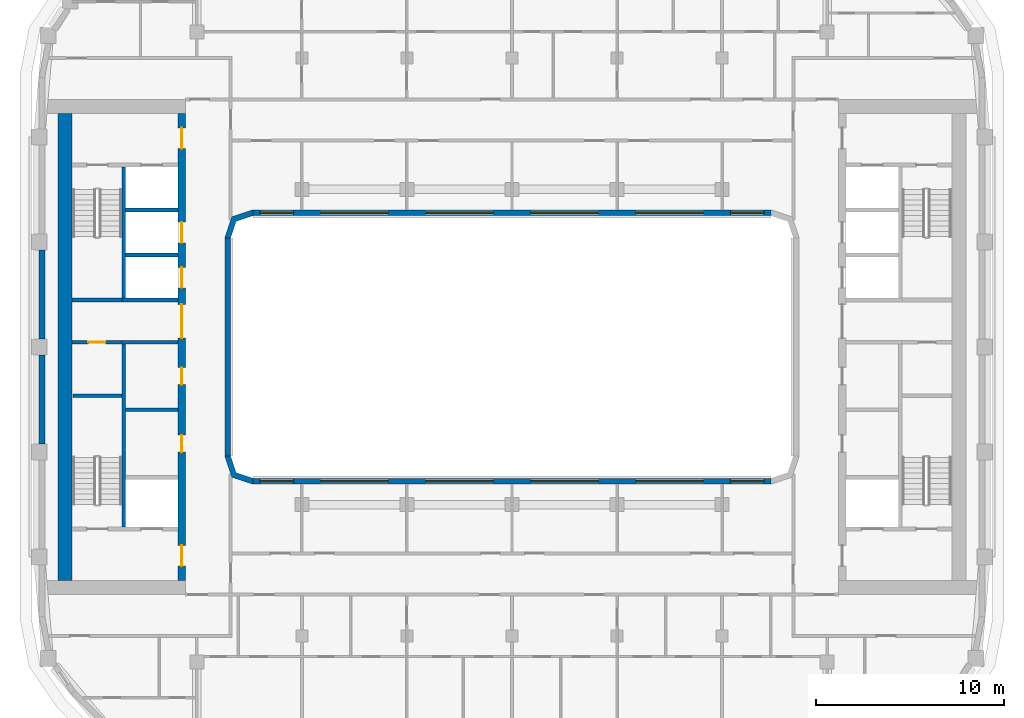
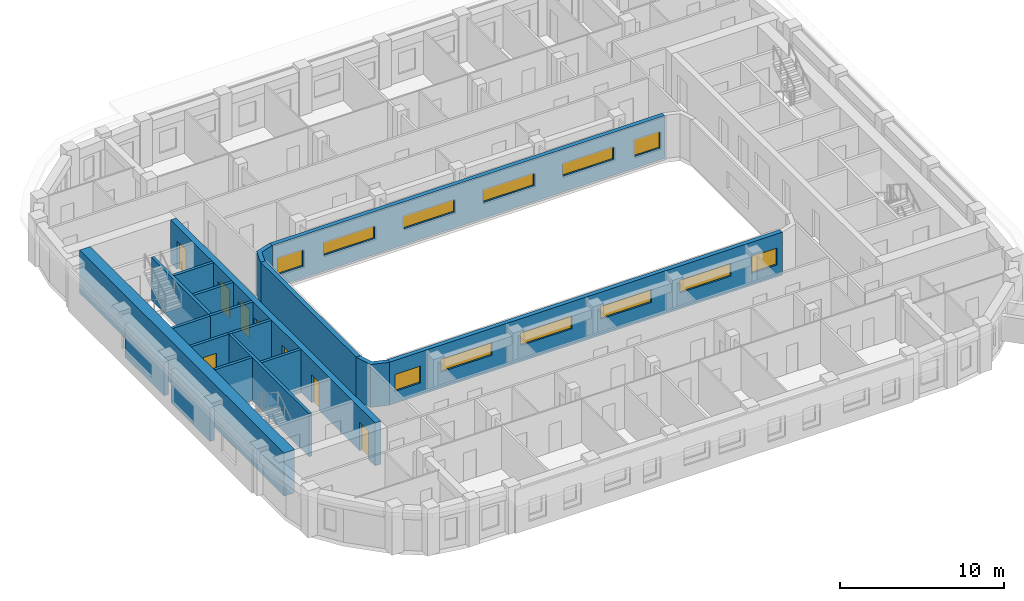
# One storey, part 4 of 21: 19 walls, 12 windows, 8 doors, 20 openings.
"""IFC4 building model written with IfcOpenShell, lengths in metres."""

from ifc_helpers import new_model, si_unit, direction, frame, frame_2d, origin, place, context, subcontext, project, spatial, polyline, rectangle, outline, extrude, material, layer, layer_set, type_object, element, fill, save


model = new_model("IFC4")

# Units and contexts
model_context = context("Model", 3, precision=1e-05, world=origin(), true_north=direction((0.0, 1.0)))
body_context = subcontext(model_context, "Body", "Model", "MODEL_VIEW")
ifc_project = project(units=[si_unit("LENGTHUNIT", "METRE"), si_unit("AREAUNIT", "SQUARE_METRE"), si_unit("VOLUMEUNIT", "CUBIC_METRE"), si_unit("PLANEANGLEUNIT", "RADIAN"), si_unit("MASSUNIT", "GRAM", prefix="KILO")], contexts=[model_context])

# Site, building, storey
site_placement = place(None, origin())
site = spatial("IfcSite", under=ifc_project, at=site_placement, CompositionType="ELEMENT")
building_placement = place(site_placement, origin())
building = spatial("IfcBuilding", under=site, at=building_placement, Name="Kiln Ring Residences", CompositionType="ELEMENT")
storey_placement = place(building_placement, frame((0.0, 0.0, 220.39990234375)))
storey = spatial("IfcBuildingStorey", under=building, at=storey_placement, Name="L57", CompositionType="ELEMENT", Elevation=220.39990234375)

# Wall, opening, door
ifc_material_1 = material(Name="Gypsum board on steel studs", Category="steel")
ifc_layer_1 = layer(ifc_material_1, 0.199951171875)
ifc_layer_set_1 = layer_set([ifc_layer_1], Name="CORE-PARTITION-200")
wall_type_1 = type_object("IfcWallType", Name="CORE-PARTITION-200", PredefinedType="PARTITIONING", material=ifc_layer_set_1)
wall_1_placement = place(storey_placement, frame((-20.800048828125, 0.25, 0.0), z_axis=(0.0, 0.0, 1.0), x_axis=(-1.0, 0.0, 0.0)))
wall_1 = element("IfcWall", 1, at=wall_1_placement, inside=storey, type_object=wall_type_1, Name="Core partition west L57 1", PredefinedType="PARTITIONING", context=body_context, shape_type="SweptSolid", body=[
    extrude(rectangle(XDim=2.64990234375, YDim=0.199951171875, at=frame_2d((1.324951171875, 0.0))), origin(), (0.0, 0.0, 1.0), 3.2001953125),
])
opening_1_placement = place(wall_1_placement, frame((0.875, 0.0, 0.0)))
opening_1 = element("IfcOpeningElement", 2, at=opening_1_placement, cuts=wall_1, Name="Opening L57-CW12", PredefinedType="OPENING", context=body_context, shape_type="SweptSolid", body=[
    extrude(rectangle(XDim=0.89990234375, YDim=2.10009765625, at=frame_2d((0.449951171875, 1.050048828125))), frame((0.0, 0.10986328125, 0.0), z_axis=(0.0, -1.0, 0.0), x_axis=(1.0, 0.0, 0.0)), (0.0, 0.0, 1.0), 0.219970703125),
])
ifc_material_2 = material(Name="Steel door leaf", Category="steel")
door_type_1 = type_object("IfcDoorType", Name="CORE-DOOR-ROOM", OperationType="SINGLE_SWING_LEFT", PredefinedType="DOOR", material=ifc_material_2)
door_1_placement = place(opening_1_placement, origin())
door_1 = element("IfcDoor", 3, at=door_1_placement, inside=storey, type_object=door_type_1, Name="Cleaner's store L57-CW12", OperationType="SINGLE_SWING_RIGHT", OverallHeight=2.10009765625, OverallWidth=0.89990234375, PredefinedType="DOOR", context=body_context, shape_type="SweptSolid", body=[
    extrude(rectangle(XDim=0.89990234375, YDim=2.10009765625, at=frame_2d((0.449951171875, 1.050048828125))), frame((0.0, 0.02490234375, 0.0), z_axis=(0.0, -1.0, 0.0), x_axis=(1.0, 0.0, 0.0)), (0.0, 0.0, 1.0), 0.050048828125),
])
fill(opening_1, door_1)

# Walls
wall_2_placement = place(storey_placement, frame((-17.800048828125, -3.35009765625, 0.0), z_axis=(0.0, 0.0, 1.0), x_axis=(-1.0, 0.0, 0.0)))
element("IfcWall", 4, at=wall_2_placement, inside=storey, type_object=wall_type_1, Name="Core partition west L57 2", PredefinedType="PARTITIONING", context=body_context, shape_type="SweptSolid", body=[
    extrude(rectangle(XDim=2.800048828125, YDim=0.199951171875, at=frame_2d((1.39990234375, 0.0))), origin(), (0.0, 0.0, 1.0), 3.2001953125),
])
ifc_material_3 = material(Name="Gypsum shaft wall system")
ifc_layer_2 = layer(ifc_material_3, 0.199951171875)
ifc_layer_set_2 = layer_set([ifc_layer_2], Name="CORE-SHAFT-WALL-200")
wall_type_2 = type_object("IfcWallType", Name="CORE-SHAFT-WALL-200", PredefinedType="PARTITIONING", material=ifc_layer_set_2)
for number, where, z_axis, x_axis, name in (
    (5, (-17.800048828125, 0.25, 0.0), (0.0, 0.0, 1.0), (-1.0, 0.0, 0.0), "Core partition west L57 4"),
    (6, (-17.800048828125, 2.5, 0.0), (0.0, 0.0, 1.0), (-1.0, 0.0, 0.0), "Core partition west L57 5"),
):
    element("IfcWall", number, at=place(storey_placement, frame(where, z_axis=z_axis, x_axis=x_axis)), inside=storey, type_object=wall_type_2, Name=name, PredefinedType="PARTITIONING", context=body_context, shape_type="SweptSolid", body=[
        extrude(rectangle(XDim=3.0, YDim=0.199951171875, at=frame_2d((1.5, 0.0))), origin(), (0.0, 0.0, 1.0), 3.2001953125),
    ])
for number, where, z_axis, x_axis, name in (
    (7, (-17.800048828125, 4.89990234375, 0.0), (0.0, 0.0, 1.0), (-1.0, 0.0, 0.0), "Core partition west L57 6"),
    (8, (-17.800048828125, 7.300048828125, 0.0), (0.0, 0.0, 1.0), (-1.0, 0.0, 0.0), "Core partition west L57 7"),
):
    element("IfcWall", number, at=place(storey_placement, frame(where, z_axis=z_axis, x_axis=x_axis)), inside=storey, type_object=wall_type_2, Name=name, PredefinedType="PARTITIONING", context=body_context, shape_type="SweptSolid", body=[
        extrude(rectangle(XDim=2.800048828125, YDim=0.199951171875, at=frame_2d((1.39990234375, 0.0))), origin(), (0.0, 0.0, 1.0), 3.2001953125),
    ])
ifc_material_4 = material(Name="Concrete C40/50", Category="concrete")
ifc_layer_3 = layer(ifc_material_4, 0.199951171875)
ifc_layer_set_3 = layer_set([ifc_layer_3], Name="CORE-WALL-RC200")
wall_type_3 = type_object("IfcWallType", Name="CORE-WALL-RC200", PredefinedType="SHEAR", material=ifc_layer_set_3)
wall_3_placement = place(storey_placement, frame((-20.699951171875, 2.60009765625, 0.0), z_axis=(0.0, 0.0, 1.0), x_axis=(0.0, 1.0, 0.0)))
element("IfcWall", 9, at=wall_3_placement, inside=storey, type_object=wall_type_3, Name="Core wall west L57 1", PredefinedType="SHEAR", context=body_context, shape_type="SweptSolid", body=[
    extrude(rectangle(XDim=7.0, YDim=0.199951171875, at=frame_2d((3.5, 0.0))), origin(), (0.0, 0.0, 1.0), 3.2001953125),
])
wall_4_placement = place(storey_placement, frame((-20.699951171875, -9.60009765625, 0.0), z_axis=(0.0, 0.0, 1.0), x_axis=(0.0, 1.0, 0.0)))
element("IfcWall", 10, at=wall_4_placement, inside=storey, type_object=wall_type_3, Name="Core wall west L57 2", PredefinedType="SHEAR", context=body_context, shape_type="SweptSolid", body=[
    extrude(rectangle(XDim=9.75, YDim=0.199951171875, at=frame_2d((4.875, 0.0))), origin(), (0.0, 0.0, 1.0), 3.2001953125),
])
wall_5_placement = place(storey_placement, frame((-20.800048828125, 2.5, 0.0), z_axis=(0.0, 0.0, 1.0), x_axis=(-1.0, 0.0, 0.0)))
element("IfcWall", 11, at=wall_5_placement, inside=storey, type_object=wall_type_3, Name="Core wall west L57 3", PredefinedType="SHEAR", context=body_context, shape_type="SweptSolid", body=[
    extrude(rectangle(XDim=2.64990234375, YDim=0.199951171875, at=frame_2d((1.324951171875, 0.0))), origin(), (0.0, 0.0, 1.0), 3.2001953125),
])
wall_6_placement = place(storey_placement, frame((-20.800048828125, -2.60009765625, 0.0), z_axis=(0.0, 0.0, 1.0), x_axis=(-1.0, 0.0, 0.0)))
element("IfcWall", 12, at=wall_6_placement, inside=storey, type_object=wall_type_3, Name="Core wall west L57 10", PredefinedType="SHEAR", context=body_context, shape_type="SweptSolid", body=[
    extrude(rectangle(XDim=2.599853515625, YDim=0.199951171875, at=frame_2d((1.2998046875, 0.0))), origin(), (0.0, 0.0, 1.0), 3.2001953125),
])

# Wall, openings, doors
ifc_material_5 = material(Name="Concrete C60/75", Category="concrete")
ifc_layer_4 = layer(ifc_material_5, 0.39990234375)
ifc_layer_set_4 = layer_set([ifc_layer_4], Name="CORE-WALL-RC400")
wall_type_4 = type_object("IfcWallType", Name="CORE-WALL-RC400", PredefinedType="SHEAR", material=ifc_layer_set_4)
wall_7_placement = place(storey_placement, frame((-17.60009765625, -12.449951171875, 0.0), z_axis=(0.0, 0.0, 1.0), x_axis=(0.0, 1.0, 0.0)))
wall_7 = element("IfcWall", 13, at=wall_7_placement, inside=storey, type_object=wall_type_4, Name="Core wall west L57 6", PredefinedType="SHEAR", context=body_context, shape_type="SweptSolid", body=[
    extrude(rectangle(XDim=24.89990234375, YDim=0.39990234375, at=frame_2d((12.449951171875, 0.0))), origin(), (0.0, 0.0, 1.0), 3.2001953125),
])
opening_2_placement = place(wall_7_placement, frame((6.85009765625, 0.0, 0.0)))
opening_2 = element("IfcOpeningElement", 14, at=opening_2_placement, cuts=wall_7, Name="Opening L57-CW02", PredefinedType="OPENING", context=body_context, shape_type="SweptSolid", body=[
    extrude(rectangle(XDim=0.89990234375, YDim=2.10009765625, at=frame_2d((0.449951171875, 1.050048828125))), frame((0.0, 0.2099609375, 0.0), z_axis=(0.0, -1.0, 0.0), x_axis=(1.0, 0.0, 0.0)), (0.0, 0.0, 1.0), 0.419921875),
])
opening_3_placement = place(wall_7_placement, frame((10.449951171875, 0.0, 0.0)))
opening_3 = element("IfcOpeningElement", 15, at=opening_3_placement, cuts=wall_7, Name="Opening L57-CW03", PredefinedType="OPENING", context=body_context, shape_type="SweptSolid", body=[
    extrude(rectangle(XDim=0.89990234375, YDim=2.10009765625, at=frame_2d((0.449951171875, 1.050048828125))), frame((0.0, 0.2099609375, 0.0), z_axis=(0.0, -1.0, 0.0), x_axis=(1.0, 0.0, 0.0)), (0.0, 0.0, 1.0), 0.419921875),
])
opening_4_placement = place(wall_7_placement, frame((15.60009765625, 0.0, 0.0)))
opening_4 = element("IfcOpeningElement", 16, at=opening_4_placement, cuts=wall_7, Name="Opening L57-CW04", PredefinedType="OPENING", context=body_context, shape_type="SweptSolid", body=[
    extrude(rectangle(XDim=1.10009765625, YDim=2.10009765625, at=frame_2d((0.550048828125, 1.050048828125))), frame((0.0, 0.2099609375, 0.0), z_axis=(0.0, -1.0, 0.0), x_axis=(1.0, 0.0, 0.0)), (0.0, 0.0, 1.0), 0.419921875),
])
opening_5_placement = place(wall_7_placement, frame((18.0, 0.0, 0.0)))
opening_5 = element("IfcOpeningElement", 17, at=opening_5_placement, cuts=wall_7, Name="Opening L57-CW05", PredefinedType="OPENING", context=body_context, shape_type="SweptSolid", body=[
    extrude(rectangle(XDim=1.10009765625, YDim=2.10009765625, at=frame_2d((0.550048828125, 1.050048828125))), frame((0.0, 0.2099609375, 0.0), z_axis=(0.0, -1.0, 0.0), x_axis=(1.0, 0.0, 0.0)), (0.0, 0.0, 1.0), 0.419921875),
])
opening_6_placement = place(wall_7_placement, frame((23.02490234375, 0.0, 0.0)))
opening_6 = element("IfcOpeningElement", 18, at=opening_6_placement, cuts=wall_7, Name="Opening L57-CW07", PredefinedType="OPENING", context=body_context, shape_type="SweptSolid", body=[
    extrude(rectangle(XDim=1.10009765625, YDim=2.10009765625, at=frame_2d((0.550048828125, 1.050048828125))), frame((0.0, 0.2099609375, 0.0), z_axis=(0.0, -1.0, 0.0), x_axis=(1.0, 0.0, 0.0)), (0.0, 0.0, 1.0), 0.419921875),
])
opening_7_placement = place(wall_7_placement, frame((0.77490234375, 0.0, 0.0)))
opening_7 = element("IfcOpeningElement", 19, at=opening_7_placement, cuts=wall_7, Name="Opening L57-CW08", PredefinedType="OPENING", context=body_context, shape_type="SweptSolid", body=[
    extrude(rectangle(XDim=1.10009765625, YDim=2.10009765625, at=frame_2d((0.550048828125, 1.050048828125))), frame((0.0, 0.2099609375, 0.0), z_axis=(0.0, -1.0, 0.0), x_axis=(1.0, 0.0, 0.0)), (0.0, 0.0, 1.0), 0.419921875),
])
opening_8_placement = place(wall_7_placement, frame((12.925048828125, 0.0, 0.0)))
opening_8 = element("IfcOpeningElement", 20, at=opening_8_placement, cuts=wall_7, Name="Opening L57-CW11", PredefinedType="OPENING", context=body_context, shape_type="SweptSolid", body=[
    extrude(rectangle(XDim=1.800048828125, YDim=2.10009765625, at=frame_2d((0.89990234375, 1.050048828125))), frame((0.0, 0.2099609375, 0.0), z_axis=(0.0, -1.0, 0.0), x_axis=(1.0, 0.0, 0.0)), (0.0, 0.0, 1.0), 0.419921875),
])
ifc_material_6 = material(Name="Steel door leaf", Category="steel")
door_type_2 = type_object("IfcDoorType", Name="CORE-DOOR-LD", OperationType="DOUBLE_DOOR_SLIDING", PredefinedType="DOOR", material=ifc_material_6)
door_2_placement = place(opening_4_placement, origin())
door_2 = element("IfcDoor", 21, at=door_2_placement, inside=storey, type_object=door_type_2, Name="LD W-M1 L57-CW04", OperationType="DOUBLE_DOOR_SLIDING", OverallHeight=2.10009765625, OverallWidth=1.10009765625, PredefinedType="DOOR", context=body_context, shape_type="SweptSolid", body=[
    extrude(rectangle(XDim=1.10009765625, YDim=2.10009765625, at=frame_2d((0.550048828125, 1.050048828125))), frame((0.0, 0.02490234375, 0.0), z_axis=(0.0, -1.0, 0.0), x_axis=(1.0, 0.0, 0.0)), (0.0, 0.0, 1.0), 0.050048828125),
])
fill(opening_4, door_2)
door_3_placement = place(opening_5_placement, origin())
door_3 = element("IfcDoor", 22, at=door_3_placement, inside=storey, type_object=door_type_2, Name="LD W-M2 L57-CW05", OperationType="DOUBLE_DOOR_SLIDING", OverallHeight=2.10009765625, OverallWidth=1.10009765625, PredefinedType="DOOR", context=body_context, shape_type="SweptSolid", body=[
    extrude(rectangle(XDim=1.10009765625, YDim=2.10009765625, at=frame_2d((0.550048828125, 1.050048828125))), frame((0.0, 0.02490234375, 0.0), z_axis=(0.0, -1.0, 0.0), x_axis=(1.0, 0.0, 0.0)), (0.0, 0.0, 1.0), 0.050048828125),
])
fill(opening_5, door_3)
ifc_material_7 = material(Name="Steel door leaf", Category="steel")
door_type_3 = type_object("IfcDoorType", Name="CORE-DOOR-LOBBY", OperationType="SINGLE_SWING_LEFT", PredefinedType="DOOR", material=ifc_material_7)
door_4_placement = place(opening_6_placement, origin())
door_4 = element("IfcDoor", 23, at=door_4_placement, inside=storey, type_object=door_type_3, Name="FFL L57-CW07", OperationType="SINGLE_SWING_RIGHT", OverallHeight=2.10009765625, OverallWidth=1.10009765625, PredefinedType="DOOR", context=body_context, shape_type="SweptSolid", body=[
    extrude(rectangle(XDim=1.10009765625, YDim=2.10009765625, at=frame_2d((0.550048828125, 1.050048828125))), frame((0.0, 0.02490234375, 0.0), z_axis=(0.0, -1.0, 0.0), x_axis=(1.0, 0.0, 0.0)), (0.0, 0.0, 1.0), 0.050048828125),
])
fill(opening_6, door_4)
door_5_placement = place(opening_7_placement, origin())
door_5 = element("IfcDoor", 24, at=door_5_placement, inside=storey, type_object=door_type_3, Name="SVL L57-CW08", OperationType="SINGLE_SWING_LEFT", OverallHeight=2.10009765625, OverallWidth=1.10009765625, PredefinedType="DOOR", context=body_context, shape_type="SweptSolid", body=[
    extrude(rectangle(XDim=1.10009765625, YDim=2.10009765625, at=frame_2d((0.550048828125, 1.050048828125))), frame((0.0, 0.02490234375, 0.0), z_axis=(0.0, -1.0, 0.0), x_axis=(1.0, 0.0, 0.0)), (0.0, 0.0, 1.0), 0.050048828125),
])
fill(opening_7, door_5)
ifc_material_8 = material(Name="Steel door leaf", Category="steel")
door_type_4 = type_object("IfcDoorType", Name="CORE-DOOR-PASS", OperationType="DOUBLE_DOOR_SINGLE_SWING", PredefinedType="DOOR", material=ifc_material_8)
door_6_placement = place(opening_8_placement, origin())
door_6 = element("IfcDoor", 25, at=door_6_placement, inside=storey, type_object=door_type_4, Name="Core passage L57-CW11", OperationType="DOUBLE_DOOR_SINGLE_SWING", OverallHeight=2.10009765625, OverallWidth=1.800048828125, PredefinedType="DOOR", context=body_context, shape_type="SweptSolid", body=[
    extrude(rectangle(XDim=1.800048828125, YDim=2.10009765625, at=frame_2d((0.89990234375, 1.050048828125))), frame((0.0, 0.02490234375, 0.0), z_axis=(0.0, -1.0, 0.0), x_axis=(1.0, 0.0, 0.0)), (0.0, 0.0, 1.0), 0.050048828125),
])
fill(opening_8, door_6)
door_7_placement = place(opening_2_placement, origin())
door_7 = element("IfcDoor", 26, at=door_7_placement, inside=storey, type_object=door_type_1, Name="Housekeeping store L57-CW02", OperationType="SINGLE_SWING_RIGHT", OverallHeight=2.10009765625, OverallWidth=0.89990234375, PredefinedType="DOOR", context=body_context, shape_type="SweptSolid", body=[
    extrude(rectangle(XDim=0.89990234375, YDim=2.10009765625, at=frame_2d((0.449951171875, 1.050048828125))), frame((0.0, 0.02490234375, 0.0), z_axis=(0.0, -1.0, 0.0), x_axis=(1.0, 0.0, 0.0)), (0.0, 0.0, 1.0), 0.050048828125),
])
fill(opening_2, door_7)
door_8_placement = place(opening_3_placement, origin())
door_8 = element("IfcDoor", 27, at=door_8_placement, inside=storey, type_object=door_type_1, Name="Linen store L57-CW03", OperationType="SINGLE_SWING_LEFT", OverallHeight=2.10009765625, OverallWidth=0.89990234375, PredefinedType="DOOR", context=body_context, shape_type="SweptSolid", body=[
    extrude(rectangle(XDim=0.89990234375, YDim=2.10009765625, at=frame_2d((0.449951171875, 1.050048828125))), frame((0.0, 0.02490234375, 0.0), z_axis=(0.0, -1.0, 0.0), x_axis=(1.0, 0.0, 0.0)), (0.0, 0.0, 1.0), 0.050048828125),
])
fill(opening_3, door_8)

# Walls
ifc_material_9 = material(Name="Concrete C60/75", Category="concrete")
ifc_layer_5 = layer(ifc_material_9, 0.75)
ifc_layer_set_5 = layer_set([ifc_layer_5], Name="CORE-WALL-RC750")
wall_type_5 = type_object("IfcWallType", Name="CORE-WALL-RC750", PredefinedType="SHEAR", material=ifc_layer_set_5)
wall_8_placement = place(storey_placement, frame((-23.824951171875, -12.449951171875, 0.0), z_axis=(0.0, 0.0, 1.0), x_axis=(0.0, 1.0, 0.0)))
element("IfcWall", 28, at=wall_8_placement, inside=storey, type_object=wall_type_5, Name="Core wall west L57 7", PredefinedType="SHEAR", context=body_context, shape_type="SweptSolid", body=[
    extrude(rectangle(XDim=24.89990234375, YDim=0.75, at=frame_2d((12.449951171875, 0.0))), origin(), (0.0, 0.0, 1.0), 3.2001953125),
])
ifc_material_10 = material(Name="Brick masonry, dark clay brick", Category="masonry")
ifc_layer_6 = layer(ifc_material_10, 0.300048828125)
ifc_layer_set_6 = layer_set([ifc_layer_6], Name="EW-300 BRICK WALL")
wall_type_6 = type_object("IfcWallType", Name="EW-300 BRICK WALL", PredefinedType="SOLIDWALL", material=ifc_layer_set_6)
for number, where, z_axis, x_axis, name in (
    (29, (-25.050048828125, 5.175048828125, 0.0), (0.0, 0.0, 1.0), (0.0, -1.0, 0.0), "Facade wall L57 41"),
    (30, (-25.050048828125, -0.425048828125, 0.0), (0.0, 0.0, 1.0), (0.0, -1.0, 0.0), "Facade wall L57 42"),
):
    element("IfcWall", number, at=place(storey_placement, frame(where, z_axis=z_axis, x_axis=x_axis)), inside=storey, type_object=wall_type_6, Name=name, PredefinedType="SOLIDWALL", context=body_context, shape_type="SweptSolid", body=[
        extrude(rectangle(XDim=4.75, YDim=0.300048828125, at=frame_2d((2.375, 0.0))), origin(), (0.0, 0.0, 1.0), 2.5),
    ])
wall_9_placement = place(storey_placement, frame((-15.14990234375, -5.800048828125, 0.0), z_axis=(0.0, 0.0, 1.0), x_axis=(0.0, 1.0, 0.0)))
element("IfcWall", 31, at=wall_9_placement, inside=storey, type_object=wall_type_6, Name="Facade wall L57 47", PredefinedType="SOLIDWALL", context=body_context, shape_type="SweptSolid", body=[
    extrude(rectangle(XDim=11.60009765625, YDim=0.300048828125, at=frame_2d((5.800048828125, 0.0))), origin(), (0.0, 0.0, 1.0), 3.2001953125),
])

# Wall, openings, windows
wall_10_placement = place(storey_placement, frame((-13.800048828125, 7.14990234375, 0.0), z_axis=(0.0, 0.0, 1.0), x_axis=(1.0, 0.0, 0.0)))
wall_10 = element("IfcWall", 32, at=wall_10_placement, inside=storey, type_object=wall_type_6, Name="Facade wall L57 48", PredefinedType="SOLIDWALL", context=body_context, shape_type="SweptSolid", body=[
    extrude(rectangle(XDim=27.60009765625, YDim=0.300048828125, at=frame_2d((13.800048828125, 0.0))), origin(), (0.0, 0.0, 1.0), 3.2001953125),
])
opening_9_placement = place(wall_10_placement, frame((0.362548828125, 0.0, 0.89990234375)))
opening_9 = element("IfcOpeningElement", 33, at=opening_9_placement, cuts=wall_10, Name="Opening W2", PredefinedType="OPENING", context=body_context, shape_type="SweptSolid", body=[
    extrude(rectangle(XDim=1.800048828125, YDim=1.25, at=frame_2d((0.89990234375, 0.625))), frame((0.0, 0.159912109375, 0.0), z_axis=(0.0, -1.0, 0.0), x_axis=(1.0, 0.0, 0.0)), (0.0, 0.0, 1.0), 0.320068359375),
])
opening_10_placement = place(wall_10_placement, frame((3.60009765625, 0.0, 1.199951171875)))
opening_10 = element("IfcOpeningElement", 34, at=opening_10_placement, cuts=wall_10, Name="Opening W4", PredefinedType="OPENING", context=body_context, shape_type="SweptSolid", body=[
    extrude(rectangle(XDim=3.60009765625, YDim=0.949951171875, at=frame_2d((1.800048828125, 0.47509765625))), frame((0.0, 0.159912109375, 0.0), z_axis=(0.0, -1.0, 0.0), x_axis=(1.0, 0.0, 0.0)), (0.0, 0.0, 1.0), 0.320068359375),
])
opening_11_placement = place(wall_10_placement, frame((9.199951171875, 0.0, 1.199951171875)))
opening_11 = element("IfcOpeningElement", 35, at=opening_11_placement, cuts=wall_10, Name="Opening W4", PredefinedType="OPENING", context=body_context, shape_type="SweptSolid", body=[
    extrude(rectangle(XDim=3.60009765625, YDim=0.949951171875, at=frame_2d((1.800048828125, 0.47509765625))), frame((0.0, 0.159912109375, 0.0), z_axis=(0.0, -1.0, 0.0), x_axis=(1.0, 0.0, 0.0)), (0.0, 0.0, 1.0), 0.320068359375),
])
opening_12_placement = place(wall_10_placement, frame((14.800048828125, 0.0, 1.199951171875)))
opening_12 = element("IfcOpeningElement", 36, at=opening_12_placement, cuts=wall_10, Name="Opening W4", PredefinedType="OPENING", context=body_context, shape_type="SweptSolid", body=[
    extrude(rectangle(XDim=3.60009765625, YDim=0.949951171875, at=frame_2d((1.800048828125, 0.47509765625))), frame((0.0, 0.159912109375, 0.0), z_axis=(0.0, -1.0, 0.0), x_axis=(1.0, 0.0, 0.0)), (0.0, 0.0, 1.0), 0.320068359375),
])
opening_13_placement = place(wall_10_placement, frame((20.39990234375, 0.0, 1.199951171875)))
opening_13 = element("IfcOpeningElement", 37, at=opening_13_placement, cuts=wall_10, Name="Opening W4", PredefinedType="OPENING", context=body_context, shape_type="SweptSolid", body=[
    extrude(rectangle(XDim=3.60009765625, YDim=0.949951171875, at=frame_2d((1.800048828125, 0.47509765625))), frame((0.0, 0.159912109375, 0.0), z_axis=(0.0, -1.0, 0.0), x_axis=(1.0, 0.0, 0.0)), (0.0, 0.0, 1.0), 0.320068359375),
])
opening_14_placement = place(wall_10_placement, frame((25.4375, 0.0, 0.89990234375)))
opening_14 = element("IfcOpeningElement", 38, at=opening_14_placement, cuts=wall_10, Name="Opening W2", PredefinedType="OPENING", context=body_context, shape_type="SweptSolid", body=[
    extrude(rectangle(XDim=1.800048828125, YDim=1.25, at=frame_2d((0.89990234375, 0.625))), frame((0.0, 0.159912109375, 0.0), z_axis=(0.0, -1.0, 0.0), x_axis=(1.0, 0.0, 0.0)), (0.0, 0.0, 1.0), 0.320068359375),
])
ifc_material_11 = material(Name="Aluminium frame with double glazing", Category="aluminium")
window_type_1 = type_object("IfcWindowType", Name="WINDOW 1800 x 1250", PartitioningType="SINGLE_PANEL", PredefinedType="WINDOW", material=ifc_material_11)
window_1_placement = place(opening_9_placement, origin())
window_1 = element("IfcWindow", 39, at=window_1_placement, inside=storey, type_object=window_type_1, Name="Window L57 35", OverallHeight=1.25, OverallWidth=1.800048828125, PartitioningType="SINGLE_PANEL", PredefinedType="WINDOW", context=body_context, shape_type="SweptSolid", body=[
    extrude(rectangle(XDim=1.800048828125, YDim=1.25, at=frame_2d((0.89990234375, 0.625))), frame((0.0, 0.030029296875, 0.0), z_axis=(0.0, -1.0, 0.0), x_axis=(1.0, 0.0, 0.0)), (0.0, 0.0, 1.0), 0.06005859375),
])
fill(opening_9, window_1)
window_2_placement = place(opening_14_placement, origin())
window_2 = element("IfcWindow", 40, at=window_2_placement, inside=storey, type_object=window_type_1, Name="Window L57 40", OverallHeight=1.25, OverallWidth=1.800048828125, PartitioningType="SINGLE_PANEL", PredefinedType="WINDOW", context=body_context, shape_type="SweptSolid", body=[
    extrude(rectangle(XDim=1.800048828125, YDim=1.25, at=frame_2d((0.89990234375, 0.625))), frame((0.0, 0.030029296875, 0.0), z_axis=(0.0, -1.0, 0.0), x_axis=(1.0, 0.0, 0.0)), (0.0, 0.0, 1.0), 0.06005859375),
])
fill(opening_14, window_2)
ifc_material_12 = material(Name="Aluminium frame with double glazing", Category="aluminium")
window_type_2 = type_object("IfcWindowType", Name="WINDOW 3600 x 950", PartitioningType="SINGLE_PANEL", PredefinedType="WINDOW", material=ifc_material_12)
window_3_placement = place(opening_10_placement, origin())
window_3 = element("IfcWindow", 41, at=window_3_placement, inside=storey, type_object=window_type_2, Name="Window L57 36", OverallHeight=0.949951171875, OverallWidth=3.60009765625, PartitioningType="SINGLE_PANEL", PredefinedType="WINDOW", context=body_context, shape_type="SweptSolid", body=[
    extrude(rectangle(XDim=3.60009765625, YDim=0.949951171875, at=frame_2d((1.800048828125, 0.47509765625))), frame((0.0, 0.030029296875, 0.0), z_axis=(0.0, -1.0, 0.0), x_axis=(1.0, 0.0, 0.0)), (0.0, 0.0, 1.0), 0.06005859375),
])
fill(opening_10, window_3)
window_4_placement = place(opening_11_placement, origin())
window_4 = element("IfcWindow", 42, at=window_4_placement, inside=storey, type_object=window_type_2, Name="Window L57 37", OverallHeight=0.949951171875, OverallWidth=3.60009765625, PartitioningType="SINGLE_PANEL", PredefinedType="WINDOW", context=body_context, shape_type="SweptSolid", body=[
    extrude(rectangle(XDim=3.60009765625, YDim=0.949951171875, at=frame_2d((1.800048828125, 0.47509765625))), frame((0.0, 0.030029296875, 0.0), z_axis=(0.0, -1.0, 0.0), x_axis=(1.0, 0.0, 0.0)), (0.0, 0.0, 1.0), 0.06005859375),
])
fill(opening_11, window_4)
window_5_placement = place(opening_12_placement, origin())
window_5 = element("IfcWindow", 43, at=window_5_placement, inside=storey, type_object=window_type_2, Name="Window L57 38", OverallHeight=0.949951171875, OverallWidth=3.60009765625, PartitioningType="SINGLE_PANEL", PredefinedType="WINDOW", context=body_context, shape_type="SweptSolid", body=[
    extrude(rectangle(XDim=3.60009765625, YDim=0.949951171875, at=frame_2d((1.800048828125, 0.47509765625))), frame((0.0, 0.030029296875, 0.0), z_axis=(0.0, -1.0, 0.0), x_axis=(1.0, 0.0, 0.0)), (0.0, 0.0, 1.0), 0.06005859375),
])
fill(opening_12, window_5)
window_6_placement = place(opening_13_placement, origin())
window_6 = element("IfcWindow", 44, at=window_6_placement, inside=storey, type_object=window_type_2, Name="Window L57 39", OverallHeight=0.949951171875, OverallWidth=3.60009765625, PartitioningType="SINGLE_PANEL", PredefinedType="WINDOW", context=body_context, shape_type="SweptSolid", body=[
    extrude(rectangle(XDim=3.60009765625, YDim=0.949951171875, at=frame_2d((1.800048828125, 0.47509765625))), frame((0.0, 0.030029296875, 0.0), z_axis=(0.0, -1.0, 0.0), x_axis=(1.0, 0.0, 0.0)), (0.0, 0.0, 1.0), 0.06005859375),
])
fill(opening_13, window_6)

wall_11_placement = place(storey_placement, frame((13.800048828125, -7.14990234375, 0.0), z_axis=(0.0, 0.0, 1.0), x_axis=(-1.0, 0.0, 0.0)))
wall_11 = element("IfcWall", 45, at=wall_11_placement, inside=storey, type_object=wall_type_6, Name="Facade wall L57 50", PredefinedType="SOLIDWALL", context=body_context, shape_type="SweptSolid", body=[
    extrude(rectangle(XDim=27.60009765625, YDim=0.300048828125, at=frame_2d((13.800048828125, 0.0))), origin(), (0.0, 0.0, 1.0), 3.2001953125),
])
opening_15_placement = place(wall_11_placement, frame((0.362548828125, 0.0, 0.89990234375)))
opening_15 = element("IfcOpeningElement", 46, at=opening_15_placement, cuts=wall_11, Name="Opening W2", PredefinedType="OPENING", context=body_context, shape_type="SweptSolid", body=[
    extrude(rectangle(XDim=1.800048828125, YDim=1.25, at=frame_2d((0.89990234375, 0.625))), frame((0.0, 0.159912109375, 0.0), z_axis=(0.0, -1.0, 0.0), x_axis=(1.0, 0.0, 0.0)), (0.0, 0.0, 1.0), 0.320068359375),
])
opening_16_placement = place(wall_11_placement, frame((3.60009765625, 0.0, 1.199951171875)))
opening_16 = element("IfcOpeningElement", 47, at=opening_16_placement, cuts=wall_11, Name="Opening W4", PredefinedType="OPENING", context=body_context, shape_type="SweptSolid", body=[
    extrude(rectangle(XDim=3.60009765625, YDim=0.949951171875, at=frame_2d((1.800048828125, 0.47509765625))), frame((0.0, 0.159912109375, 0.0), z_axis=(0.0, -1.0, 0.0), x_axis=(1.0, 0.0, 0.0)), (0.0, 0.0, 1.0), 0.320068359375),
])
opening_17_placement = place(wall_11_placement, frame((9.199951171875, 0.0, 1.199951171875)))
opening_17 = element("IfcOpeningElement", 48, at=opening_17_placement, cuts=wall_11, Name="Opening W4", PredefinedType="OPENING", context=body_context, shape_type="SweptSolid", body=[
    extrude(rectangle(XDim=3.60009765625, YDim=0.949951171875, at=frame_2d((1.800048828125, 0.47509765625))), frame((0.0, 0.159912109375, 0.0), z_axis=(0.0, -1.0, 0.0), x_axis=(1.0, 0.0, 0.0)), (0.0, 0.0, 1.0), 0.320068359375),
])
opening_18_placement = place(wall_11_placement, frame((14.800048828125, 0.0, 1.199951171875)))
opening_18 = element("IfcOpeningElement", 49, at=opening_18_placement, cuts=wall_11, Name="Opening W4", PredefinedType="OPENING", context=body_context, shape_type="SweptSolid", body=[
    extrude(rectangle(XDim=3.60009765625, YDim=0.949951171875, at=frame_2d((1.800048828125, 0.47509765625))), frame((0.0, 0.159912109375, 0.0), z_axis=(0.0, -1.0, 0.0), x_axis=(1.0, 0.0, 0.0)), (0.0, 0.0, 1.0), 0.320068359375),
])
opening_19_placement = place(wall_11_placement, frame((20.39990234375, 0.0, 1.199951171875)))
opening_19 = element("IfcOpeningElement", 50, at=opening_19_placement, cuts=wall_11, Name="Opening W4", PredefinedType="OPENING", context=body_context, shape_type="SweptSolid", body=[
    extrude(rectangle(XDim=3.60009765625, YDim=0.949951171875, at=frame_2d((1.800048828125, 0.47509765625))), frame((0.0, 0.159912109375, 0.0), z_axis=(0.0, -1.0, 0.0), x_axis=(1.0, 0.0, 0.0)), (0.0, 0.0, 1.0), 0.320068359375),
])
opening_20_placement = place(wall_11_placement, frame((25.4375, 0.0, 0.89990234375)))
opening_20 = element("IfcOpeningElement", 51, at=opening_20_placement, cuts=wall_11, Name="Opening W2", PredefinedType="OPENING", context=body_context, shape_type="SweptSolid", body=[
    extrude(rectangle(XDim=1.800048828125, YDim=1.25, at=frame_2d((0.89990234375, 0.625))), frame((0.0, 0.159912109375, 0.0), z_axis=(0.0, -1.0, 0.0), x_axis=(1.0, 0.0, 0.0)), (0.0, 0.0, 1.0), 0.320068359375),
])
window_7_placement = place(opening_15_placement, origin())
window_7 = element("IfcWindow", 52, at=window_7_placement, inside=storey, type_object=window_type_1, Name="Window L57 41", OverallHeight=1.25, OverallWidth=1.800048828125, PartitioningType="SINGLE_PANEL", PredefinedType="WINDOW", context=body_context, shape_type="SweptSolid", body=[
    extrude(rectangle(XDim=1.800048828125, YDim=1.25, at=frame_2d((0.89990234375, 0.625))), frame((0.0, 0.030029296875, 0.0), z_axis=(0.0, -1.0, 0.0), x_axis=(1.0, 0.0, 0.0)), (0.0, 0.0, 1.0), 0.06005859375),
])
fill(opening_15, window_7)
window_8_placement = place(opening_20_placement, origin())
window_8 = element("IfcWindow", 53, at=window_8_placement, inside=storey, type_object=window_type_1, Name="Window L57 46", OverallHeight=1.25, OverallWidth=1.800048828125, PartitioningType="SINGLE_PANEL", PredefinedType="WINDOW", context=body_context, shape_type="SweptSolid", body=[
    extrude(rectangle(XDim=1.800048828125, YDim=1.25, at=frame_2d((0.89990234375, 0.625))), frame((0.0, 0.030029296875, 0.0), z_axis=(0.0, -1.0, 0.0), x_axis=(1.0, 0.0, 0.0)), (0.0, 0.0, 1.0), 0.06005859375),
])
fill(opening_20, window_8)
window_9_placement = place(opening_16_placement, origin())
window_9 = element("IfcWindow", 54, at=window_9_placement, inside=storey, type_object=window_type_2, Name="Window L57 42", OverallHeight=0.949951171875, OverallWidth=3.60009765625, PartitioningType="SINGLE_PANEL", PredefinedType="WINDOW", context=body_context, shape_type="SweptSolid", body=[
    extrude(rectangle(XDim=3.60009765625, YDim=0.949951171875, at=frame_2d((1.800048828125, 0.47509765625))), frame((0.0, 0.030029296875, 0.0), z_axis=(0.0, -1.0, 0.0), x_axis=(1.0, 0.0, 0.0)), (0.0, 0.0, 1.0), 0.06005859375),
])
fill(opening_16, window_9)
window_10_placement = place(opening_17_placement, origin())
window_10 = element("IfcWindow", 55, at=window_10_placement, inside=storey, type_object=window_type_2, Name="Window L57 43", OverallHeight=0.949951171875, OverallWidth=3.60009765625, PartitioningType="SINGLE_PANEL", PredefinedType="WINDOW", context=body_context, shape_type="SweptSolid", body=[
    extrude(rectangle(XDim=3.60009765625, YDim=0.949951171875, at=frame_2d((1.800048828125, 0.47509765625))), frame((0.0, 0.030029296875, 0.0), z_axis=(0.0, -1.0, 0.0), x_axis=(1.0, 0.0, 0.0)), (0.0, 0.0, 1.0), 0.06005859375),
])
fill(opening_17, window_10)
window_11_placement = place(opening_18_placement, origin())
window_11 = element("IfcWindow", 56, at=window_11_placement, inside=storey, type_object=window_type_2, Name="Window L57 44", OverallHeight=0.949951171875, OverallWidth=3.60009765625, PartitioningType="SINGLE_PANEL", PredefinedType="WINDOW", context=body_context, shape_type="SweptSolid", body=[
    extrude(rectangle(XDim=3.60009765625, YDim=0.949951171875, at=frame_2d((1.800048828125, 0.47509765625))), frame((0.0, 0.030029296875, 0.0), z_axis=(0.0, -1.0, 0.0), x_axis=(1.0, 0.0, 0.0)), (0.0, 0.0, 1.0), 0.06005859375),
])
fill(opening_18, window_11)
window_12_placement = place(opening_19_placement, origin())
window_12 = element("IfcWindow", 57, at=window_12_placement, inside=storey, type_object=window_type_2, Name="Window L57 45", OverallHeight=0.949951171875, OverallWidth=3.60009765625, PartitioningType="SINGLE_PANEL", PredefinedType="WINDOW", context=body_context, shape_type="SweptSolid", body=[
    extrude(rectangle(XDim=3.60009765625, YDim=0.949951171875, at=frame_2d((1.800048828125, 0.47509765625))), frame((0.0, 0.030029296875, 0.0), z_axis=(0.0, -1.0, 0.0), x_axis=(1.0, 0.0, 0.0)), (0.0, 0.0, 1.0), 0.06005859375),
])
fill(opening_19, window_12)

# Walls
placement = place(storey_placement, origin())
element("IfcWall", 58, at=placement, inside=storey, type_object=wall_type_6, Name="Corner wall L57 1", PredefinedType="SOLIDWALL", context=body_context, shape_type="SweptSolid", body=[
    extrude(outline(polyline([(-13.8486328125, 7.300048828125), (-14.937255859375, 6.937255859375), (-15.300048828125, 5.8486328125), (-15.300048828125, 5.800048828125), (-15.0, 5.800048828125), (-14.699951171875, 6.699951171875), (-13.800048828125, 7.0), (-13.800048828125, 7.300048828125), (-13.8486328125, 7.300048828125)])), origin(), (0.0, 0.0, 1.0), 3.2001953125),
])
element("IfcWall", 59, at=placement, inside=storey, type_object=wall_type_6, Name="Corner wall L57 4", PredefinedType="SOLIDWALL", context=body_context, shape_type="SweptSolid", body=[
    extrude(outline(polyline([(-14.937255859375, -6.937255859375), (-13.8486328125, -7.300048828125), (-13.800048828125, -7.300048828125), (-13.800048828125, -7.0), (-14.699951171875, -6.699951171875), (-15.0, -5.800048828125), (-15.300048828125, -5.800048828125), (-15.300048828125, -5.8486328125), (-14.937255859375, -6.937255859375)])), origin(), (0.0, 0.0, 1.0), 3.2001953125),
])

save(model, "model.ifc")
